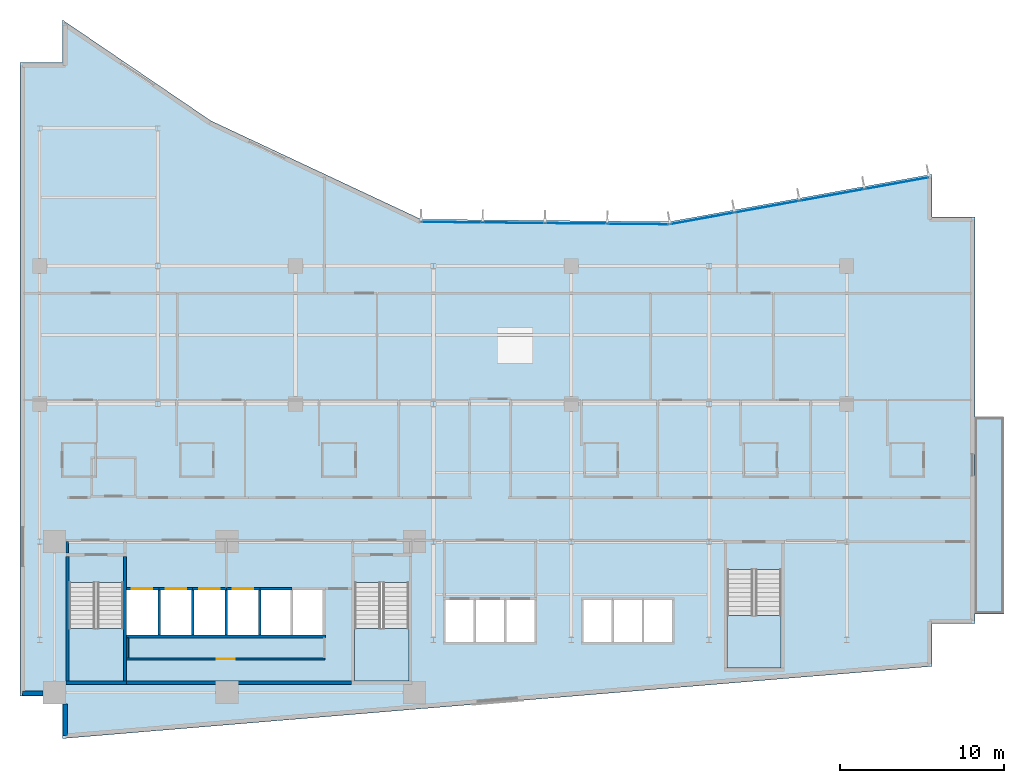
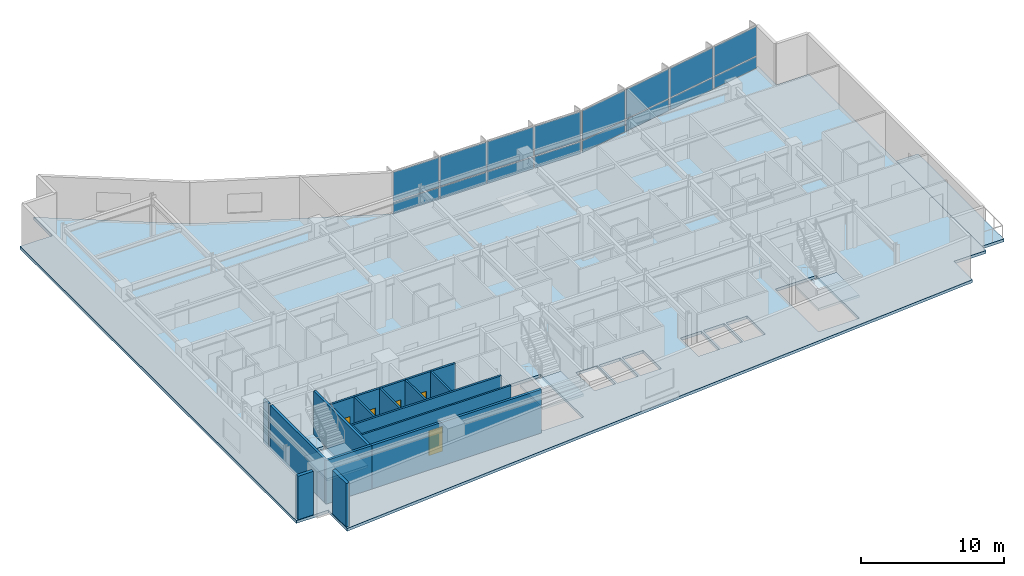
# One storey, part 9 of 19: 19 walls, 16 plates, 5 doors, 5 slabs, 5 openings, 5 elements without a shape of their own.
"""IFC4 building model written with IfcOpenShell, lengths in metres."""

from ifc_helpers import new_model, si_unit, direction, frame, frame_2d, origin, origin_2d, place, context, subcontext, project, spatial, polyline, rectangle, outline, extrude, material, layer, layer_set, type_object, element, fill, aggregate, save


model = new_model("IFC4")

# Units and contexts
model_context = context("Model", 3, precision=1e-05, world=origin(), true_north=direction((0.0, 1.0)))
body_context = subcontext(model_context, "Body", "Model", "MODEL_VIEW")
ifc_project = project(units=[si_unit("LENGTHUNIT", "METRE"), si_unit("AREAUNIT", "SQUARE_METRE"), si_unit("VOLUMEUNIT", "CUBIC_METRE"), si_unit("PLANEANGLEUNIT", "RADIAN"), si_unit("MASSUNIT", "GRAM", prefix="KILO")], contexts=[model_context])

# Site, building, storey
site_placement = place(None, origin())
site = spatial("IfcSite", under=ifc_project, at=site_placement, CompositionType="ELEMENT")
building_placement = place(site_placement, origin())
building = spatial("IfcBuilding", under=site, at=building_placement, Name="Varnakote Quay Hospital", CompositionType="ELEMENT")
storey_placement = place(building_placement, frame((0.0, 0.0, 89.64990234375)))
storey = spatial("IfcBuildingStorey", under=building, at=storey_placement, Name="L22", CompositionType="ELEMENT", Elevation=89.64990234375)

# Curtain wall, plates
ifc_material_1 = material(Name="Anodised aluminium 6063-T6 Bronze", Category="aluminium")
ifc_layer_1 = layer(ifc_material_1, 0.18994140625)
ifc_layer_set_1 = layer_set([ifc_layer_1], Name="Anodised aluminium 6063-T6 Bronze")
curtain_wall_type = type_object("IfcCurtainWallType", Name="CW-SYS-2", PredefinedType="NOTDEFINED", material=ifc_layer_set_1)
curtain_wall_1_placement = place(storey_placement, origin())
curtain_wall_1 = element("IfcCurtainWall", 1, at=curtain_wall_1_placement, inside=storey, type_object=curtain_wall_type, Name="L22 Unitised Bronze Curtain Wall 1", PredefinedType="NOTDEFINED")
ifc_material_2 = material(Name="Double-glazed acoustic laminated glass", Category="glass")
ifc_layer_2 = layer(ifc_material_2, 0.031982421875)
ifc_layer_set_2 = layer_set([ifc_layer_2], Name="Double-glazed acoustic laminated glass")
plate_type = type_object("IfcPlateType", Name="CW-PNL-GLZ-32", PredefinedType="CURTAIN_PANEL", material=ifc_layer_set_2)
plate_1_placement = place(storey_placement, frame((53.440185546875, 33.84716796875, 0.0751953125), z_axis=(0.0, 0.0, 1.0), x_axis=(-0.984058295766, -0.177846199098, 0.0)))
plate_1 = element("IfcPlate", 2, at=plate_1_placement, type_object=plate_type, Name="-2-L22-1 panel 1.1", PredefinedType="CURTAIN_PANEL", context=body_context, shape_type="SweptSolid", body=[
    extrude(rectangle(XDim=3.914306640625, YDim=0.031982421875, at=origin_2d()), origin(), (0.0, 0.0, 1.0), 0.987548828125),
])
plate_2_placement = place(storey_placement, frame((53.440185546875, 33.84716796875, 1.137451171875), z_axis=(0.0, 0.0, 1.0), x_axis=(-0.984058295766, -0.177846199098, 0.0)))
plate_2 = element("IfcPlate", 3, at=plate_2_placement, type_object=plate_type, Name="-2-L22-1 panel 1.2", PredefinedType="CURTAIN_PANEL", context=body_context, shape_type="SweptSolid", body=[
    extrude(rectangle(XDim=3.914306640625, YDim=0.031982421875, at=origin_2d()), origin(), (0.0, 0.0, 1.0), 2.49755859375),
])
plate_3_placement = place(storey_placement, frame((49.49609375, 33.13427734375, 0.0751953125), z_axis=(0.0, 0.0, 1.0), x_axis=(-0.984058295766, -0.177846199098, 0.0)))
plate_3 = element("IfcPlate", 4, at=plate_3_placement, type_object=plate_type, Name="-2-L22-1 panel 2.1", PredefinedType="CURTAIN_PANEL", context=body_context, shape_type="SweptSolid", body=[
    extrude(rectangle(XDim=3.951904296875, YDim=0.031982421875, at=origin_2d()), origin(), (0.0, 0.0, 1.0), 0.987548828125),
])
plate_4_placement = place(storey_placement, frame((49.49609375, 33.13427734375, 1.137451171875), z_axis=(0.0, 0.0, 1.0), x_axis=(-0.984058295766, -0.177846199098, 0.0)))
plate_4 = element("IfcPlate", 5, at=plate_4_placement, type_object=plate_type, Name="-2-L22-1 panel 2.2", PredefinedType="CURTAIN_PANEL", context=body_context, shape_type="SweptSolid", body=[
    extrude(rectangle(XDim=3.951904296875, YDim=0.031982421875, at=origin_2d()), origin(), (0.0, 0.0, 1.0), 2.49755859375),
])
plate_5_placement = place(storey_placement, frame((45.533447265625, 32.418212890625, 0.0751953125), z_axis=(0.0, 0.0, 1.0), x_axis=(-0.984058295766, -0.177846199098, 0.0)))
plate_5 = element("IfcPlate", 6, at=plate_5_placement, type_object=plate_type, Name="-2-L22-1 panel 3.1", PredefinedType="CURTAIN_PANEL", context=body_context, shape_type="SweptSolid", body=[
    extrude(rectangle(XDim=3.951904296875, YDim=0.031982421875, at=origin_2d()), origin(), (0.0, 0.0, 1.0), 0.987548828125),
])
plate_6_placement = place(storey_placement, frame((45.533447265625, 32.418212890625, 1.137451171875), z_axis=(0.0, 0.0, 1.0), x_axis=(-0.984058295766, -0.177846199098, 0.0)))
plate_6 = element("IfcPlate", 7, at=plate_6_placement, type_object=plate_type, Name="-2-L22-1 panel 3.2", PredefinedType="CURTAIN_PANEL", context=body_context, shape_type="SweptSolid", body=[
    extrude(rectangle(XDim=3.951904296875, YDim=0.031982421875, at=origin_2d()), origin(), (0.0, 0.0, 1.0), 2.49755859375),
])
plate_7_placement = place(storey_placement, frame((41.58935546875, 31.705322265625, 0.0751953125), z_axis=(0.0, 0.0, 1.0), x_axis=(-0.984058295766, -0.177846199098, 0.0)))
plate_7 = element("IfcPlate", 8, at=plate_7_placement, type_object=plate_type, Name="-2-L22-1 panel 4.1", PredefinedType="CURTAIN_PANEL", context=body_context, shape_type="SweptSolid", body=[
    extrude(rectangle(XDim=3.914306640625, YDim=0.031982421875, at=origin_2d()), origin(), (0.0, 0.0, 1.0), 0.987548828125),
])
plate_8_placement = place(storey_placement, frame((41.58935546875, 31.705322265625, 1.137451171875), z_axis=(0.0, 0.0, 1.0), x_axis=(-0.984058295766, -0.177846199098, 0.0)))
plate_8 = element("IfcPlate", 9, at=plate_8_placement, type_object=plate_type, Name="-2-L22-1 panel 4.2", PredefinedType="CURTAIN_PANEL", context=body_context, shape_type="SweptSolid", body=[
    extrude(rectangle(XDim=3.914306640625, YDim=0.031982421875, at=origin_2d()), origin(), (0.0, 0.0, 1.0), 2.49755859375),
])
aggregate(curtain_wall_1, [plate_1, plate_2, plate_3, plate_4, plate_5, plate_6, plate_7, plate_8])

curtain_wall_2_placement = place(storey_placement, origin())
curtain_wall_2 = element("IfcCurtainWall", 10, at=curtain_wall_2_placement, inside=storey, type_object=curtain_wall_type, Name="L22 Unitised Bronze Curtain Wall 2", PredefinedType="NOTDEFINED")
plate_9_placement = place(storey_placement, frame((37.673095703125, 31.362548828125, 0.0751953125), z_axis=(0.0, 0.0, 1.0), x_axis=(-0.999952230718, 0.009774266312, 0.0)))
plate_9 = element("IfcPlate", 11, at=plate_9_placement, type_object=plate_type, Name="-2-L22-2 panel 1.1", PredefinedType="CURTAIN_PANEL", context=body_context, shape_type="SweptSolid", body=[
    extrude(rectangle(XDim=3.68310546875, YDim=0.031982421875, at=origin_2d()), origin(), (0.0, 0.0, 1.0), 0.987548828125),
])
plate_10_placement = place(storey_placement, frame((37.673095703125, 31.362548828125, 1.137451171875), z_axis=(0.0, 0.0, 1.0), x_axis=(-0.999952230718, 0.009774266312, 0.0)))
plate_10 = element("IfcPlate", 12, at=plate_10_placement, type_object=plate_type, Name="-2-L22-2 panel 1.2", PredefinedType="CURTAIN_PANEL", context=body_context, shape_type="SweptSolid", body=[
    extrude(rectangle(XDim=3.68310546875, YDim=0.031982421875, at=origin_2d()), origin(), (0.0, 0.0, 1.0), 2.49755859375),
])
plate_11_placement = place(storey_placement, frame((33.896240234375, 31.399658203125, 0.0751953125), z_axis=(0.0, 0.0, 1.0), x_axis=(-0.999952230718, 0.009774266312, 0.0)))
plate_11 = element("IfcPlate", 13, at=plate_11_placement, type_object=plate_type, Name="-2-L22-2 panel 2.1", PredefinedType="CURTAIN_PANEL", context=body_context, shape_type="SweptSolid", body=[
    extrude(rectangle(XDim=3.720703125, YDim=0.031982421875, at=origin_2d()), origin(), (0.0, 0.0, 1.0), 0.987548828125),
])
plate_12_placement = place(storey_placement, frame((33.896240234375, 31.399658203125, 1.137451171875), z_axis=(0.0, 0.0, 1.0), x_axis=(-0.999952230718, 0.009774266312, 0.0)))
plate_12 = element("IfcPlate", 14, at=plate_12_placement, type_object=plate_type, Name="-2-L22-2 panel 2.2", PredefinedType="CURTAIN_PANEL", context=body_context, shape_type="SweptSolid", body=[
    extrude(rectangle(XDim=3.720703125, YDim=0.031982421875, at=origin_2d()), origin(), (0.0, 0.0, 1.0), 2.49755859375),
])
plate_13_placement = place(storey_placement, frame((30.100830078125, 31.436767578125, 0.0751953125), z_axis=(0.0, 0.0, 1.0), x_axis=(-0.999952230718, 0.009774266312, 0.0)))
plate_13 = element("IfcPlate", 15, at=plate_13_placement, type_object=plate_type, Name="-2-L22-2 panel 3.1", PredefinedType="CURTAIN_PANEL", context=body_context, shape_type="SweptSolid", body=[
    extrude(rectangle(XDim=3.720703125, YDim=0.031982421875, at=origin_2d()), origin(), (0.0, 0.0, 1.0), 0.987548828125),
])
plate_14_placement = place(storey_placement, frame((30.100830078125, 31.436767578125, 1.137451171875), z_axis=(0.0, 0.0, 1.0), x_axis=(-0.999952230718, 0.009774266312, 0.0)))
plate_14 = element("IfcPlate", 16, at=plate_14_placement, type_object=plate_type, Name="-2-L22-2 panel 3.2", PredefinedType="CURTAIN_PANEL", context=body_context, shape_type="SweptSolid", body=[
    extrude(rectangle(XDim=3.720703125, YDim=0.031982421875, at=origin_2d()), origin(), (0.0, 0.0, 1.0), 2.49755859375),
])
plate_15_placement = place(storey_placement, frame((26.32421875, 31.4736328125, 0.0751953125), z_axis=(0.0, 0.0, 1.0), x_axis=(-0.999952230718, 0.009774266312, 0.0)))
plate_15 = element("IfcPlate", 17, at=plate_15_placement, type_object=plate_type, Name="-2-L22-2 panel 4.1", PredefinedType="CURTAIN_PANEL", context=body_context, shape_type="SweptSolid", body=[
    extrude(rectangle(XDim=3.68310546875, YDim=0.031982421875, at=origin_2d()), origin(), (0.0, 0.0, 1.0), 0.987548828125),
])
plate_16_placement = place(storey_placement, frame((26.32421875, 31.4736328125, 1.137451171875), z_axis=(0.0, 0.0, 1.0), x_axis=(-0.999952230718, 0.009774266312, 0.0)))
plate_16 = element("IfcPlate", 18, at=plate_16_placement, type_object=plate_type, Name="-2-L22-2 panel 4.2", PredefinedType="CURTAIN_PANEL", context=body_context, shape_type="SweptSolid", body=[
    extrude(rectangle(XDim=3.68310546875, YDim=0.031982421875, at=origin_2d()), origin(), (0.0, 0.0, 1.0), 2.49755859375),
])
aggregate(curtain_wall_2, [plate_9, plate_10, plate_11, plate_12, plate_13, plate_14, plate_15, plate_16])

# Stair, slab
ifc_material_3 = material(Name="Concrete N40 (f'c 40 MPa)", Category="concrete")
stair_type = type_object("IfcStairType", Name="STR-CORE-1580", PredefinedType="HALF_TURN_STAIR", material=ifc_material_3)
stair_1_placement = place(storey_placement, origin())
stair_1 = element("IfcStair", 19, at=stair_1_placement, inside=storey, type_object=stair_type, Name="L22 Fire-Isolated Exit Stair ST-01", PredefinedType="HALF_TURN_STAIR")
ifc_material_4 = material(Name="Concrete N40 (f'c 40 MPa)", Category="concrete")
ifc_layer_3 = layer(ifc_material_4, 0.199951171875)
ifc_layer_set_3 = layer_set([ifc_layer_3], Name="Concrete N40 (f'c 40 MPa)")
slab_type_1 = type_object("IfcSlabType", Name="SLB-STAIR-LND-200", PredefinedType="LANDING", material=ifc_layer_set_3)
slab_1_placement = place(storey_placement, frame((0.0, 0.0, 1.775146484375)))
slab_1 = element("IfcSlab", 20, at=slab_1_placement, type_object=slab_type_1, Name="ST-01 landing 1", PredefinedType="LANDING", context=body_context, shape_type="SweptSolid", body=[
    extrude(outline(polyline([(3.0, 6.699951171875), (3.0, 3.5), (6.300048828125, 3.5), (6.300048828125, 6.699951171875), (3.0, 6.699951171875)])), origin(), (0.0, 0.0, 1.0), 0.199951171875),
])
aggregate(stair_1, [slab_1])

stair_2_placement = place(storey_placement, origin())
stair_2 = element("IfcStair", 21, at=stair_2_placement, inside=storey, type_object=stair_type, Name="L22 Fire-Isolated Exit Stair ST-02", PredefinedType="HALF_TURN_STAIR")
slab_2_placement = place(storey_placement, frame((0.0, 0.0, 1.775146484375)))
slab_2 = element("IfcSlab", 22, at=slab_2_placement, type_object=slab_type_1, Name="ST-02 landing 1", PredefinedType="LANDING", context=body_context, shape_type="SweptSolid", body=[
    extrude(outline(polyline([(20.39990234375, 6.699951171875), (20.39990234375, 3.5), (23.699951171875, 3.5), (23.699951171875, 6.699951171875), (20.39990234375, 6.699951171875)])), origin(), (0.0, 0.0, 1.0), 0.199951171875),
])
aggregate(stair_2, [slab_2])

stair_3_placement = place(storey_placement, origin())
stair_3 = element("IfcStair", 23, at=stair_3_placement, inside=storey, type_object=stair_type, Name="L22 Fire-Isolated Exit Stair ST-03", PredefinedType="HALF_TURN_STAIR")
slab_3_placement = place(storey_placement, frame((0.0, 0.0, 1.775146484375)))
slab_3 = element("IfcSlab", 24, at=slab_3_placement, type_object=slab_type_1, Name="ST-03 landing 1", PredefinedType="LANDING", context=body_context, shape_type="SweptSolid", body=[
    extrude(outline(polyline([(43.10009765625, 7.5), (43.10009765625, 4.300048828125), (46.39990234375, 4.300048828125), (46.39990234375, 7.5), (43.10009765625, 7.5)])), origin(), (0.0, 0.0, 1.0), 0.199951171875),
])
aggregate(stair_3, [slab_3])

# Slabs
ifc_material_5 = material(Name="Concrete N50 (f'c 50 MPa)", Category="concrete")
ifc_layer_4 = layer(ifc_material_5, 0.239990234375)
ifc_layer_set_4 = layer_set([ifc_layer_4], Name="Concrete N50 (f'c 50 MPa)")
slab_type_2 = type_object("IfcSlabType", Name="SLB-TERR-200", PredefinedType="FLOOR", material=ifc_layer_set_4)
slab_4_placement = place(storey_placement, frame((0.0, 0.0, -0.239990234375)))
element("IfcSlab", 25, at=slab_4_placement, inside=storey, type_object=slab_type_2, Name="L22 Waterfront Healing Terrace Slab", PredefinedType="FLOOR", context=body_context, shape_type="SweptSolid", body=[
    extrude(outline(polyline([(58.196044921875, 19.60009765625), (58.196044921875, 7.60009765625), (59.97998046875, 7.60009765625), (59.97998046875, 19.60009765625), (58.196044921875, 19.60009765625)])), origin(), (0.0, 0.0, 1.0), 0.239990234375),
])
ifc_material_6 = material(Name="Concrete N50 (f'c 50 MPa)", Category="concrete")
ifc_layer_5 = layer(ifc_material_6, 0.239990234375)
ifc_layer_set_5 = layer_set([ifc_layer_5], Name="Concrete N50 (f'c 50 MPa)")
slab_type_3 = type_object("IfcSlabType", Name="SLB-WARD-200", PredefinedType="FLOOR", material=ifc_layer_set_5)
slab_5_placement = place(storey_placement, frame((0.0, 0.0, -0.239990234375)))
element("IfcSlab", 26, at=slab_5_placement, inside=storey, type_object=slab_type_3, Name="L22 Primary Floor Slab", PredefinedType="FLOOR", context=body_context, shape_type="SweptSolid", body=[
    extrude(outline(polyline([(0.0, 2.60009765625), (2.60009765625, 2.60009765625), (2.60009765625, 0.0), (55.60009765625, 4.39990234375), (55.60009765625, 7.0), (58.199951171875, 7.0), (58.199951171875, 31.800048828125), (55.60009765625, 31.800048828125), (55.60009765625, 34.39990234375), (39.575927734375, 31.50390625), (24.444091796875, 31.652099609375), (11.639892578125, 37.656005859375), (2.60009765625, 43.800048828125), (2.60009765625, 41.199951171875), (0.0, 41.199951171875), (0.0, 2.60009765625)]), holes=[polyline([(3.0, 3.5), (6.300048828125, 3.5), (6.300048828125, 9.49951171875), (3.0, 9.49951171875), (3.0, 3.5)]), polyline([(20.39990234375, 3.5), (23.699951171875, 3.5), (23.699951171875, 9.49951171875), (20.39990234375, 9.49951171875), (20.39990234375, 3.5)]), polyline([(43.10009765625, 4.300048828125), (46.39990234375, 4.300048828125), (46.39990234375, 10.29931640625), (43.10009765625, 10.29931640625), (43.10009765625, 4.300048828125)]), polyline([(6.5, 6.300048828125), (8.39990234375, 6.300048828125), (8.39990234375, 9.050048828125), (6.5, 9.050048828125), (6.5, 6.300048828125)]), polyline([(8.550048828125, 6.300048828125), (10.449951171875, 6.300048828125), (10.449951171875, 9.050048828125), (8.550048828125, 9.050048828125), (8.550048828125, 6.300048828125)]), polyline([(10.60009765625, 6.300048828125), (12.5, 6.300048828125), (12.5, 9.050048828125), (10.60009765625, 9.050048828125), (10.60009765625, 6.300048828125)]), polyline([(12.64990234375, 6.300048828125), (14.550048828125, 6.300048828125), (14.550048828125, 9.050048828125), (12.64990234375, 9.050048828125), (12.64990234375, 6.300048828125)]), polyline([(14.699951171875, 6.300048828125), (16.5, 6.300048828125), (16.5, 9.050048828125), (14.699951171875, 9.050048828125), (14.699951171875, 6.300048828125)]), polyline([(16.64990234375, 6.300048828125), (18.449951171875, 6.300048828125), (18.449951171875, 9.050048828125), (16.64990234375, 9.050048828125), (16.64990234375, 6.300048828125)]), polyline([(25.949951171875, 5.89990234375), (27.64990234375, 5.89990234375), (27.64990234375, 8.449951171875), (25.949951171875, 8.449951171875), (25.949951171875, 5.89990234375)]), polyline([(27.800048828125, 5.89990234375), (29.5, 5.89990234375), (29.5, 8.449951171875), (27.800048828125, 8.449951171875), (27.800048828125, 5.89990234375)]), polyline([(29.64990234375, 5.89990234375), (31.35009765625, 5.89990234375), (31.35009765625, 8.449951171875), (29.64990234375, 8.449951171875), (29.64990234375, 5.89990234375)]), polyline([(34.35009765625, 5.89990234375), (36.050048828125, 5.89990234375), (36.050048828125, 8.449951171875), (34.35009765625, 8.449951171875), (34.35009765625, 5.89990234375)]), polyline([(36.199951171875, 5.89990234375), (37.89990234375, 5.89990234375), (37.89990234375, 8.449951171875), (36.199951171875, 8.449951171875), (36.199951171875, 5.89990234375)]), polyline([(38.050048828125, 5.89990234375), (39.75, 5.89990234375), (39.75, 8.449951171875), (38.050048828125, 8.449951171875), (38.050048828125, 5.89990234375)])]), origin(), (0.0, 0.0, 1.0), 0.239990234375),
])

# Walls
ifc_material_7 = material(Name="Fire-rated acoustic gypsum stud wall", Category="gypsum")
ifc_layer_6 = layer(ifc_material_7, 0.159912109375)
ifc_layer_set_6 = layer_set([ifc_layer_6], Name="Fire-rated acoustic gypsum stud wall")
wall_type_1 = type_object("IfcWallType", Name="WL-COMP-160", PredefinedType="PARTITIONING", material=ifc_layer_set_6)
wall_1_placement = place(storey_placement, frame((2.8798828125, 11.300048828125, 0.0), z_axis=(0.0, 0.0, 1.0), x_axis=(0.0, 1.0, 0.0)))
element("IfcWall", 27, at=wall_1_placement, inside=storey, type_object=wall_type_1, Name="L22 West Stair Vestibule West Wall", PredefinedType="PARTITIONING", context=body_context, shape_type="SweptSolid", body=[
    extrude(rectangle(XDim=0.699951171875, YDim=0.159912109375, at=frame_2d((0.35009765625, 0.0))), origin(), (0.0, 0.0, 1.0), 3.710205078125),
])
ifc_material_8 = material(Name="Concrete N80 (f'c 80 MPa)", Category="concrete")
ifc_layer_7 = layer(ifc_material_8, 0.199951171875)
ifc_layer_set_7 = layer_set([ifc_layer_7], Name="Concrete N80 (f'c 80 MPa)")
wall_type_2 = type_object("IfcWallType", Name="WL-CORE-N80-200", PredefinedType="SHEAR", material=ifc_layer_set_7)
wall_2_placement = place(storey_placement, frame((6.5, 3.39990234375, 0.0), z_axis=(0.0, 0.0, 1.0), x_axis=(1.0, 0.0, 0.0)))
element("IfcWall", 28, at=wall_2_placement, inside=storey, type_object=wall_type_2, Name="L22 Rear Core South Shear Wall", PredefinedType="SHEAR", context=body_context, shape_type="SweptSolid", body=[
    extrude(rectangle(XDim=13.699951171875, YDim=0.199951171875, at=frame_2d((6.85009765625, 0.0))), origin(), (0.0, 0.0, 1.0), 3.710205078125),
])
ifc_material_9 = material(Name="Precast concrete N50 (f'c 50 MPa)", Category="concrete")
ifc_layer_8 = layer(ifc_material_9, 0.260009765625)
ifc_layer_set_8 = layer_set([ifc_layer_8], Name="Precast concrete N50 (f'c 50 MPa)")
wall_type_3 = type_object("IfcWallType", Name="WL-EXT-BRICK-260", PredefinedType="STANDARD", material=ifc_layer_set_8)
wall_3_placement = place(storey_placement, frame((2.760009765625, 2.114990234375, 0.0), z_axis=(0.0, 0.0, 1.0), x_axis=(0.0, -1.0, 0.0)))
element("IfcWall", 29, at=wall_3_placement, inside=storey, type_object=wall_type_3, Name="L22 Brick-Faced Precast Exterior Wall", PredefinedType="STANDARD", context=body_context, shape_type="SweptSolid", body=[
    extrude(rectangle(XDim=1.941162109375, YDim=0.260009765625, at=frame_2d((0.970703125, 0.0))), origin(), (0.0, 0.0, 1.0), 3.710205078125),
])
wall_4_placement = place(storey_placement, frame((0.159912109375, 2.760009765625, 0.0), z_axis=(0.0, 0.0, 1.0), x_axis=(1.0, 0.0, 0.0)))
element("IfcWall", 30, at=wall_4_placement, inside=storey, type_object=wall_type_3, Name="L22 Brick-Faced Precast Exterior Wall", PredefinedType="STANDARD", context=body_context, shape_type="SweptSolid", body=[
    extrude(rectangle(XDim=1.255126953125, YDim=0.260009765625, at=frame_2d((0.62744140625, 0.0))), origin(), (0.0, 0.0, 1.0), 3.710205078125),
])
ifc_material_10 = material(Name="Concrete N50 (f'c 50 MPa)", Category="concrete")
ifc_layer_9 = layer(ifc_material_10, 0.14990234375)
ifc_layer_set_9 = layer_set([ifc_layer_9], Name="Concrete N50 (f'c 50 MPa)")
wall_type_4 = type_object("IfcWallType", Name="WL-SHAFT-N50-150", PredefinedType="SHEAR", material=ifc_layer_set_9)
for number, where, z_axis, x_axis, name in (
    (31, (8.47509765625, 6.300048828125, 0.0), (0.0, 0.0, 1.0), (0.0, 1.0, 0.0), "L22 LF-FF1 Hoistway Divider Wall"),
    (32, (10.52490234375, 6.300048828125, 0.0), (0.0, 0.0, 1.0), (0.0, 1.0, 0.0), "L22 LF-FF2 Hoistway Divider Wall"),
    (33, (12.574951171875, 6.300048828125, 0.0), (0.0, 0.0, 1.0), (0.0, 1.0, 0.0), "L22 LF-SV1 Hoistway Divider Wall"),
    (34, (14.625, 6.300048828125, 0.0), (0.0, 0.0, 1.0), (0.0, 1.0, 0.0), "L22 LF-SV2 Hoistway Divider Wall"),
):
    element("IfcWall", number, at=place(storey_placement, frame(where, z_axis=z_axis, x_axis=x_axis)), inside=storey, type_object=wall_type_4, Name=name, PredefinedType="SHEAR", context=body_context, shape_type="SweptSolid", body=[
        extrude(rectangle(XDim=2.75, YDim=0.14990234375, at=frame_2d((1.375, 0.0))), origin(), (0.0, 0.0, 1.0), 3.710205078125),
    ])
ifc_material_11 = material(Name="Concrete N50 (f'c 50 MPa)", Category="concrete")
ifc_layer_10 = layer(ifc_material_11, 0.159912109375)
ifc_layer_set_10 = layer_set([ifc_layer_10], Name="Concrete N50 (f'c 50 MPa)")
wall_type_5 = type_object("IfcWallType", Name="WL-SHAFT-N50-160", PredefinedType="SHEAR", material=ifc_layer_set_10)
wall_5_placement = place(storey_placement, frame((6.5, 6.219970703125, 0.0), z_axis=(0.0, 0.0, 1.0), x_axis=(1.0, 0.0, 0.0)))
element("IfcWall", 35, at=wall_5_placement, inside=storey, type_object=wall_type_5, Name="L22 REAR Lift Bank Back Shear Wall", PredefinedType="SHEAR", context=body_context, shape_type="SweptSolid", body=[
    extrude(rectangle(XDim=12.110107421875, YDim=0.159912109375, at=frame_2d((6.05517578125, 0.0))), origin(), (0.0, 0.0, 1.0), 3.710205078125),
])

# Wall, opening, door
wall_6_placement = place(storey_placement, frame((6.5, 9.1298828125, 0.0), z_axis=(0.0, 0.0, 1.0), x_axis=(1.0, 0.0, 0.0)))
wall_6 = element("IfcWall", 36, at=wall_6_placement, inside=storey, type_object=wall_type_5, Name="L22 LF-FF1 Hoistway Front Wall", PredefinedType="SHEAR", context=body_context, shape_type="SweptSolid", body=[
    extrude(rectangle(XDim=1.97509765625, YDim=0.159912109375, at=frame_2d((0.987548828125, 0.0))), origin(), (0.0, 0.0, 1.0), 3.710205078125),
])
opening_1_placement = place(wall_6_placement, frame((0.324951171875, 0.0, 0.0)))
opening_1 = element("IfcOpeningElement", 37, at=opening_1_placement, cuts=wall_6, Name="Opening LD-FF1-L22", PredefinedType="OPENING", context=body_context, shape_type="SweptSolid", body=[
    extrude(rectangle(XDim=1.25, YDim=2.14990234375, at=frame_2d((0.625, 1.074951171875))), frame((0.0, 0.08984375, 0.0), z_axis=(0.0, -1.0, 0.0), x_axis=(1.0, 0.0, 0.0)), (0.0, 0.0, 1.0), 0.179931640625),
])
ifc_material_12 = material(Name="Stainless steel lift landing sliding door", Category="steel")
door_type_1 = type_object("IfcDoorType", Name="DR-LIFT-LD-1250x2150", OperationType="NOTDEFINED", PredefinedType="DOOR", material=ifc_material_12)
door_1_placement = place(opening_1_placement, origin())
door_1 = element("IfcDoor", 38, at=door_1_placement, inside=storey, type_object=door_type_1, Name="L22 LF-FF1 Lift Landing Sliding Door", OperationType="SLIDING_TO_LEFT", OverallHeight=2.14990234375, OverallWidth=1.25, PredefinedType="DOOR", context=body_context, shape_type="SweptSolid", body=[
    extrude(rectangle(XDim=1.25, YDim=2.14990234375, at=frame_2d((0.625, 1.074951171875))), frame((0.0, 0.02490234375, 0.0), z_axis=(0.0, -1.0, 0.0), x_axis=(1.0, 0.0, 0.0)), (0.0, 0.0, 1.0), 0.050048828125),
])
fill(opening_1, door_1)

wall_7_placement = place(storey_placement, frame((8.47509765625, 9.1298828125, 0.0), z_axis=(0.0, 0.0, 1.0), x_axis=(1.0, 0.0, 0.0)))
wall_7 = element("IfcWall", 39, at=wall_7_placement, inside=storey, type_object=wall_type_5, Name="L22 LF-FF2 Hoistway Front Wall", PredefinedType="SHEAR", context=body_context, shape_type="SweptSolid", body=[
    extrude(rectangle(XDim=2.0498046875, YDim=0.159912109375, at=frame_2d((1.02490234375, 0.0))), origin(), (0.0, 0.0, 1.0), 3.710205078125),
])
opening_2_placement = place(wall_7_placement, frame((0.39990234375, 0.0, 0.0)))
opening_2 = element("IfcOpeningElement", 40, at=opening_2_placement, cuts=wall_7, Name="Opening LD-FF2-L22", PredefinedType="OPENING", context=body_context, shape_type="SweptSolid", body=[
    extrude(rectangle(XDim=1.25, YDim=2.14990234375, at=frame_2d((0.625, 1.074951171875))), frame((0.0, 0.08984375, 0.0), z_axis=(0.0, -1.0, 0.0), x_axis=(1.0, 0.0, 0.0)), (0.0, 0.0, 1.0), 0.179931640625),
])
door_2_placement = place(opening_2_placement, origin())
door_2 = element("IfcDoor", 41, at=door_2_placement, inside=storey, type_object=door_type_1, Name="L22 LF-FF2 Lift Landing Sliding Door", OperationType="SLIDING_TO_LEFT", OverallHeight=2.14990234375, OverallWidth=1.25, PredefinedType="DOOR", context=body_context, shape_type="SweptSolid", body=[
    extrude(rectangle(XDim=1.25, YDim=2.14990234375, at=frame_2d((0.625, 1.074951171875))), frame((0.0, 0.02490234375, 0.0), z_axis=(0.0, -1.0, 0.0), x_axis=(1.0, 0.0, 0.0)), (0.0, 0.0, 1.0), 0.050048828125),
])
fill(opening_2, door_2)

wall_8_placement = place(storey_placement, frame((10.52490234375, 9.1298828125, 0.0), z_axis=(0.0, 0.0, 1.0), x_axis=(1.0, 0.0, 0.0)))
wall_8 = element("IfcWall", 42, at=wall_8_placement, inside=storey, type_object=wall_type_5, Name="L22 LF-SV1 Hoistway Front Wall", PredefinedType="SHEAR", context=body_context, shape_type="SweptSolid", body=[
    extrude(rectangle(XDim=2.050048828125, YDim=0.159912109375, at=frame_2d((1.02490234375, 0.0))), origin(), (0.0, 0.0, 1.0), 3.710205078125),
])
opening_3_placement = place(wall_8_placement, frame((0.39990234375, 0.0, 0.0)))
opening_3 = element("IfcOpeningElement", 43, at=opening_3_placement, cuts=wall_8, Name="Opening LD-SV1-L22", PredefinedType="OPENING", context=body_context, shape_type="SweptSolid", body=[
    extrude(rectangle(XDim=1.25, YDim=2.14990234375, at=frame_2d((0.625, 1.074951171875))), frame((0.0, 0.08984375, 0.0), z_axis=(0.0, -1.0, 0.0), x_axis=(1.0, 0.0, 0.0)), (0.0, 0.0, 1.0), 0.179931640625),
])
door_3_placement = place(opening_3_placement, origin())
door_3 = element("IfcDoor", 44, at=door_3_placement, inside=storey, type_object=door_type_1, Name="L22 LF-SV1 Lift Landing Sliding Door", OperationType="SLIDING_TO_LEFT", OverallHeight=2.14990234375, OverallWidth=1.25, PredefinedType="DOOR", context=body_context, shape_type="SweptSolid", body=[
    extrude(rectangle(XDim=1.25, YDim=2.14990234375, at=frame_2d((0.625, 1.074951171875))), frame((0.0, 0.02490234375, 0.0), z_axis=(0.0, -1.0, 0.0), x_axis=(1.0, 0.0, 0.0)), (0.0, 0.0, 1.0), 0.050048828125),
])
fill(opening_3, door_3)

wall_9_placement = place(storey_placement, frame((12.574951171875, 9.1298828125, 0.0), z_axis=(0.0, 0.0, 1.0), x_axis=(1.0, 0.0, 0.0)))
wall_9 = element("IfcWall", 45, at=wall_9_placement, inside=storey, type_object=wall_type_5, Name="L22 LF-SV2 Hoistway Front Wall", PredefinedType="SHEAR", context=body_context, shape_type="SweptSolid", body=[
    extrude(rectangle(XDim=2.050048828125, YDim=0.159912109375, at=frame_2d((1.02490234375, 0.0))), origin(), (0.0, 0.0, 1.0), 3.710205078125),
])
opening_4_placement = place(wall_9_placement, frame((0.39990234375, 0.0, 0.0)))
opening_4 = element("IfcOpeningElement", 46, at=opening_4_placement, cuts=wall_9, Name="Opening LD-SV2-L22", PredefinedType="OPENING", context=body_context, shape_type="SweptSolid", body=[
    extrude(rectangle(XDim=1.25, YDim=2.14990234375, at=frame_2d((0.625, 1.074951171875))), frame((0.0, 0.08984375, 0.0), z_axis=(0.0, -1.0, 0.0), x_axis=(1.0, 0.0, 0.0)), (0.0, 0.0, 1.0), 0.179931640625),
])
door_4_placement = place(opening_4_placement, origin())
door_4 = element("IfcDoor", 47, at=door_4_placement, inside=storey, type_object=door_type_1, Name="L22 LF-SV2 Lift Landing Sliding Door", OperationType="SLIDING_TO_LEFT", OverallHeight=2.14990234375, OverallWidth=1.25, PredefinedType="DOOR", context=body_context, shape_type="SweptSolid", body=[
    extrude(rectangle(XDim=1.25, YDim=2.14990234375, at=frame_2d((0.625, 1.074951171875))), frame((0.0, 0.02490234375, 0.0), z_axis=(0.0, -1.0, 0.0), x_axis=(1.0, 0.0, 0.0)), (0.0, 0.0, 1.0), 0.050048828125),
])
fill(opening_4, door_4)

# Walls
wall_10_placement = place(storey_placement, frame((14.625, 9.1298828125, 0.0), z_axis=(0.0, 0.0, 1.0), x_axis=(1.0, 0.0, 0.0)))
element("IfcWall", 48, at=wall_10_placement, inside=storey, type_object=wall_type_5, Name="L22 LF-PH1 Hoistway Front Wall", PredefinedType="SHEAR", context=body_context, shape_type="SweptSolid", body=[
    extrude(rectangle(XDim=1.949951171875, YDim=0.159912109375, at=frame_2d((0.97509765625, 0.0))), origin(), (0.0, 0.0, 1.0), 3.710205078125),
])
ifc_material_13 = material(Name="Concrete N50 (f'c 50 MPa)", Category="concrete")
ifc_layer_11 = layer(ifc_material_13, 0.199951171875)
ifc_layer_set_11 = layer_set([ifc_layer_11], Name="Concrete N50 (f'c 50 MPa)")
wall_type_6 = type_object("IfcWallType", Name="WL-SHAFT-N50-200", PredefinedType="SHEAR", material=ifc_layer_set_11)
wall_11_placement = place(storey_placement, frame((2.800048828125, 3.39990234375, 0.0), z_axis=(0.0, 0.0, 1.0), x_axis=(1.0, 0.0, 0.0)))
element("IfcWall", 49, at=wall_11_placement, inside=storey, type_object=wall_type_6, Name="L22 Stair ST1 South Shaft Wall", PredefinedType="SHEAR", context=body_context, shape_type="SweptSolid", body=[
    extrude(rectangle(XDim=3.699951171875, YDim=0.199951171875, at=frame_2d((1.85009765625, 0.0))), origin(), (0.0, 0.0, 1.0), 3.710205078125),
])
for number, where, z_axis, x_axis, name in (
    (50, (2.89990234375, 3.5, 0.0), (0.0, 0.0, 1.0), (0.0, 1.0, 0.0), "L22 Stair ST1 West Shaft Wall"),
    (51, (6.39990234375, 3.5, 0.0), (0.0, 0.0, 1.0), (0.0, 1.0, 0.0), "L22 Stair ST1 East Shaft Wall"),
):
    element("IfcWall", number, at=place(storey_placement, frame(where, z_axis=z_axis, x_axis=x_axis)), inside=storey, type_object=wall_type_6, Name=name, PredefinedType="SHEAR", context=body_context, shape_type="SweptSolid", body=[
        extrude(rectangle(XDim=7.60009765625, YDim=0.199951171875, at=frame_2d((3.800048828125, 0.0))), origin(), (0.0, 0.0, 1.0), 3.710205078125),
    ])
ifc_material_14 = material(Name="Smoke-proof clinical partition", Category="gypsum")
ifc_layer_12 = layer(ifc_material_14, 0.1201171875)
ifc_layer_set_12 = layer_set([ifc_layer_12], Name="Smoke-proof clinical partition")
wall_type_7 = type_object("IfcWallType", Name="WL-SMOKE-120", PredefinedType="PARTITIONING", material=ifc_layer_set_12)
wall_12_placement = place(storey_placement, frame((6.56005859375, 4.919921875, 0.0), z_axis=(0.0, 0.0, 1.0), x_axis=(0.0, 1.0, 0.0)))
element("IfcWall", 52, at=wall_12_placement, inside=storey, type_object=wall_type_7, Name="L22 Core Service Strip West Wall", PredefinedType="PARTITIONING", context=body_context, shape_type="SweptSolid", body=[
    extrude(rectangle(XDim=1.219970703125, YDim=0.1201171875, at=frame_2d((0.60986328125, 0.0))), origin(), (0.0, 0.0, 1.0), 3.710205078125),
])

# Wall, opening, door
ifc_material_15 = material(Name="Fire-rated clinical gypsum partition", Category="gypsum")
ifc_layer_13 = layer(ifc_material_15, 0.139892578125)
ifc_layer_set_13 = layer_set([ifc_layer_13], Name="Fire-rated clinical gypsum partition")
wall_type_8 = type_object("IfcWallType", Name="WL-WARD-140", PredefinedType="PARTITIONING", material=ifc_layer_set_13)
wall_13_placement = place(storey_placement, frame((6.5, 4.85009765625, 0.0), z_axis=(0.0, 0.0, 1.0), x_axis=(1.0, 0.0, 0.0)))
wall_13 = element("IfcWall", 53, at=wall_13_placement, inside=storey, type_object=wall_type_8, Name="L22 Core Clean Linen Store South Wall", PredefinedType="PARTITIONING", context=body_context, shape_type="SweptSolid", body=[
    extrude(rectangle(XDim=12.10009765625, YDim=0.139892578125, at=frame_2d((6.050048828125, 0.0))), origin(), (0.0, 0.0, 1.0), 3.710205078125),
])
opening_5_placement = place(wall_13_placement, frame((5.5, 0.0, 0.0)))
opening_5 = element("IfcOpeningElement", 54, at=opening_5_placement, cuts=wall_13, Name="Opening D-L22-CR01", PredefinedType="OPENING", context=body_context, shape_type="SweptSolid", body=[
    extrude(rectangle(XDim=1.10009765625, YDim=2.10009765625, at=frame_2d((0.550048828125, 1.050048828125))), frame((0.0, 0.079833984375, 0.0), z_axis=(0.0, -1.0, 0.0), x_axis=(1.0, 0.0, 0.0)), (0.0, 0.0, 1.0), 0.159912109375),
])
ifc_material_16 = material(Name="Acoustic timber clinical consult door", Category="wood")
door_type_2 = type_object("IfcDoorType", Name="DR-CLIN-FD30S-1100x2100", OperationType="NOTDEFINED", PredefinedType="DOOR", material=ifc_material_16)
door_5_placement = place(opening_5_placement, origin())
door_5 = element("IfcDoor", 55, at=door_5_placement, inside=storey, type_object=door_type_2, Name="L22 Core Clean Linen Store Door", OperationType="SINGLE_SWING_RIGHT", OverallHeight=2.10009765625, OverallWidth=1.10009765625, PredefinedType="DOOR", context=body_context, shape_type="SweptSolid", body=[
    extrude(rectangle(XDim=1.10009765625, YDim=2.10009765625, at=frame_2d((0.550048828125, 1.050048828125))), frame((0.0, 0.02490234375, 0.0), z_axis=(0.0, -1.0, 0.0), x_axis=(1.0, 0.0, 0.0)), (0.0, 0.0, 1.0), 0.050048828125),
])
fill(opening_5, door_5)

save(model, "model.ifc")
